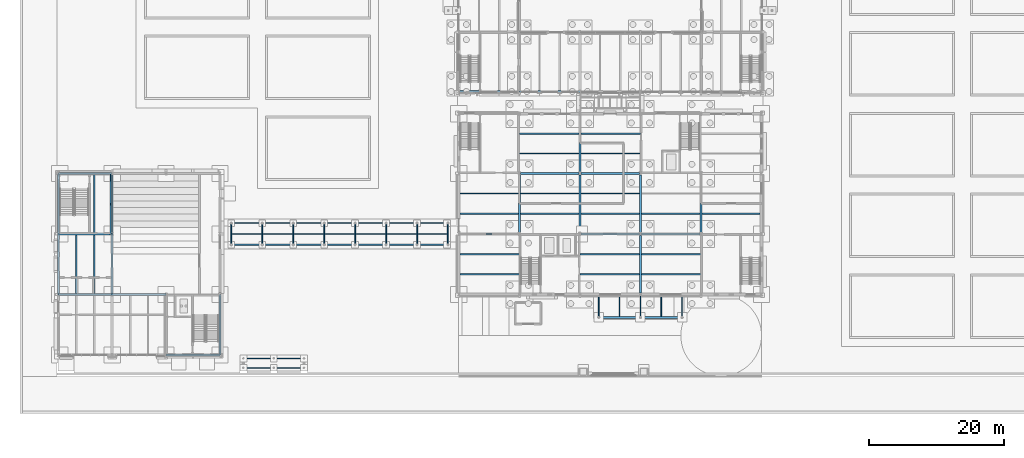
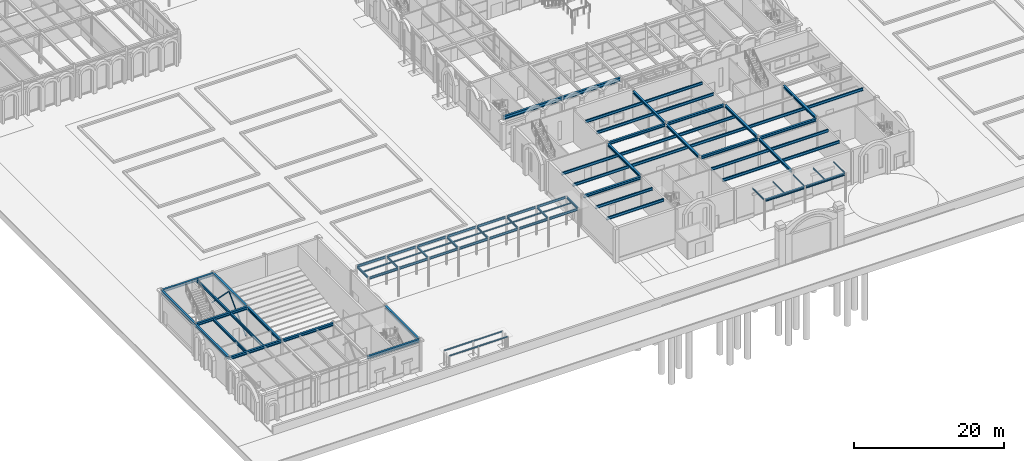
# One storey, part 31 of 126: 82 beams, 2 members.
"""IFC4 building model written with IfcOpenShell, lengths in metres."""

from ifc_helpers import new_model, si_unit, direction, frame, origin, origin_2d, place, context, subcontext, project, spatial, hollow_rectangle, i_section, extrude, material, material_profile, profile_set, type_object, element, save


model = new_model("IFC4")

# Units and contexts
model_context = context("Model", 3, precision=1e-05, world=origin(), true_north=direction((0.0, 1.0)))
body_context = subcontext(model_context, "Body", "Model", "MODEL_VIEW")
ifc_project = project(units=[si_unit("LENGTHUNIT", "METRE"), si_unit("AREAUNIT", "SQUARE_METRE"), si_unit("VOLUMEUNIT", "CUBIC_METRE"), si_unit("PLANEANGLEUNIT", "RADIAN"), si_unit("MASSUNIT", "GRAM", prefix="KILO")], contexts=[model_context])

# Site, building, storey
site_placement = place(None, origin())
site = spatial("IfcSite", under=ifc_project, at=site_placement, CompositionType="ELEMENT")
building_placement = place(site_placement, origin())
building = spatial("IfcBuilding", under=site, at=building_placement, Name="Kallimachos Central Library", CompositionType="ELEMENT")
storey_placement = place(building_placement, origin())
storey = spatial("IfcBuildingStorey", under=building, at=storey_placement, Name="L00", CompositionType="ELEMENT", Elevation=0.0)

# Beams
ifc_material_1 = material(Name="Steel S355J2", Category="steel")
ifc_material_profile_1 = material_profile(ifc_material_1, i_section(OverallWidth=0.300048828125, OverallDepth=0.31005859375, WebThickness=0.009033203125, FlangeThickness=0.015380859375, FilletRadius=0.027099609375, at=origin_2d()), Name="HEA 320")
ifc_profile_set_1 = profile_set([ifc_material_profile_1], Name="Steel S355J2")
beam_type_1 = type_object("IfcBeamType", Name="HEA 320 beam", PredefinedType="BEAM", material=ifc_profile_set_1)
for number, where, z_axis, x_axis, name in (
    (1, (86.4365234375, 14.60009765625, 4.544921875), (1.0, 0.0, 0.0), (0.0, 1.0, 0.0), "V5-BEM-L00-035"),
    (2, (92.636474609375, 14.60009765625, 4.544921875), (1.0, 0.0, 0.0), (0.0, 1.0, 0.0), "V5-BEM-L00-036"),
):
    element("IfcBeam", number, at=place(storey_placement, frame(where, z_axis=z_axis, x_axis=x_axis)), inside=storey, type_object=beam_type_1, Name=name, PredefinedType="BEAM", context=body_context, shape_type="SweptSolid", body=[
        extrude(i_section(OverallWidth=0.300048828125, OverallDepth=0.31005859375, WebThickness=0.009033203125, FlangeThickness=0.015380859375, FilletRadius=0.027099609375, at=origin_2d()), origin(), (0.0, 0.0, 1.0), 5.927001953125),
    ])
ifc_material_2 = material(Name="Steel S355J2", Category="steel")
ifc_material_profile_2 = material_profile(ifc_material_2, i_section(OverallWidth=0.300048828125, OverallDepth=0.43994140625, WebThickness=0.011474609375, FlangeThickness=0.02099609375, FilletRadius=0.027099609375, at=origin_2d()), Name="HEA 450")
ifc_profile_set_2 = profile_set([ifc_material_profile_2], Name="Steel S355J2")
beam_type_2 = type_object("IfcBeamType", Name="HEA 450 beam", PredefinedType="BEAM", material=ifc_profile_set_2)
beam_1_placement = place(storey_placement, frame((65.64990234375, 27.0, 4.929931640625), z_axis=(1.0, 0.0, 0.0), x_axis=(0.0, 1.0, 0.0)))
element("IfcBeam", 3, at=beam_1_placement, inside=storey, type_object=beam_type_2, Name="V5-BEM-L00-001", PredefinedType="BEAM", context=body_context, shape_type="SweptSolid", body=[
    extrude(i_section(OverallWidth=0.300048828125, OverallDepth=0.43994140625, WebThickness=0.011474609375, FlangeThickness=0.02099609375, FilletRadius=0.027099609375, at=origin_2d()), origin(), (0.0, 0.0, 1.0), 8.696533203125),
])
for number, where, z_axis, x_axis, name in (
    (4, (83.653564453125, 27.0, 4.929931640625), (1.0, 0.0, 0.0), (0.0, 1.0, 0.0), "V5-BEM-L00-002"),
    (5, (92.653564453125, 27.0, 4.929931640625), (1.0, 0.0, 0.0), (0.0, 1.0, 0.0), "V5-BEM-L00-003"),
    (6, (74.653564453125, 36.0, 4.929931640625), (1.0, 0.0, 0.0), (0.0, 1.0, 0.0), "V5-BEM-L00-004"),
    (7, (83.653564453125, 36.0, 4.929931640625), (1.0, 0.0, 0.0), (0.0, 1.0, 0.0), "V5-BEM-L00-005"),
):
    element("IfcBeam", number, at=place(storey_placement, frame(where, z_axis=z_axis, x_axis=x_axis)), inside=storey, type_object=beam_type_2, Name=name, PredefinedType="BEAM", context=body_context, shape_type="SweptSolid", body=[
        extrude(i_section(OverallWidth=0.300048828125, OverallDepth=0.43994140625, WebThickness=0.011474609375, FlangeThickness=0.02099609375, FilletRadius=0.027099609375, at=origin_2d()), origin(), (0.0, 0.0, 1.0), 8.69287109375),
    ])
ifc_material_3 = material(Name="Steel S355J2", Category="steel")
ifc_material_profile_3 = material_profile(ifc_material_3, i_section(OverallWidth=0.300048828125, OverallDepth=0.39990234375, WebThickness=0.013427734375, FlangeThickness=0.02392578125, FilletRadius=0.027099609375, at=origin_2d()), Name="HEB 400")
ifc_profile_set_3 = profile_set([ifc_material_profile_3], Name="Steel S355J2")
beam_type_3 = type_object("IfcBeamType", Name="HEB 400 beam", PredefinedType="BEAM", material=ifc_profile_set_3)
for number, where, z_axis, x_axis, name in (
    (8, (74.5, 27.216064453125, 4.949951171875), (0.0, 1.0, 0.0), (-1.0, 0.0, 0.0), "V5-BEM-L00-007"),
    (9, (83.5, 27.216064453125, 4.949951171875), (0.0, 1.0, 0.0), (-1.0, 0.0, 0.0), "V5-BEM-L00-008"),
):
    element("IfcBeam", number, at=place(storey_placement, frame(where, z_axis=z_axis, x_axis=x_axis)), inside=storey, type_object=beam_type_3, Name=name, PredefinedType="BEAM", context=body_context, shape_type="SweptSolid", body=[
        extrude(i_section(OverallWidth=0.300048828125, OverallDepth=0.39990234375, WebThickness=0.013427734375, FlangeThickness=0.02392578125, FilletRadius=0.027099609375, at=origin_2d()), origin(), (0.0, 0.0, 1.0), 8.56787109375),
    ])
beam_2_placement = place(storey_placement, frame((83.5, 36.216064453125, 4.949951171875), z_axis=(0.0, 1.0, 0.0), x_axis=(-1.0, 0.0, 0.0)))
element("IfcBeam", 10, at=beam_2_placement, inside=storey, type_object=beam_type_3, Name="V5-BEM-L00-009", PredefinedType="BEAM", context=body_context, shape_type="SweptSolid", body=[
    extrude(i_section(OverallWidth=0.300048828125, OverallDepth=0.39990234375, WebThickness=0.013427734375, FlangeThickness=0.02392578125, FilletRadius=0.027099609375, at=origin_2d()), origin(), (0.0, 0.0, 1.0), 8.433837890625),
])
beam_3_placement = place(storey_placement, frame((92.5, 18.199951171875, 4.949951171875), z_axis=(0.0, 1.0, 0.0), x_axis=(-1.0, 0.0, 0.0)))
element("IfcBeam", 11, at=beam_3_placement, inside=storey, type_object=beam_type_3, Name="V5-BEM-L00-010", PredefinedType="BEAM", context=body_context, shape_type="SweptSolid", body=[
    extrude(i_section(OverallWidth=0.300048828125, OverallDepth=0.39990234375, WebThickness=0.013427734375, FlangeThickness=0.02392578125, FilletRadius=0.027099609375, at=origin_2d()), origin(), (0.0, 0.0, 1.0), 8.583984375),
])
for number, where, z_axis, x_axis, name in (
    (12, (92.5, 27.216064453125, 4.949951171875), (0.0, 1.0, 0.0), (-1.0, 0.0, 0.0), "V5-BEM-L00-011"),
    (13, (101.5, 27.216064453125, 4.949951171875), (0.0, 1.0, 0.0), (-1.0, 0.0, 0.0), "V5-BEM-L00-012"),
):
    element("IfcBeam", number, at=place(storey_placement, frame(where, z_axis=z_axis, x_axis=x_axis)), inside=storey, type_object=beam_type_3, Name=name, PredefinedType="BEAM", context=body_context, shape_type="SweptSolid", body=[
        extrude(i_section(OverallWidth=0.300048828125, OverallDepth=0.39990234375, WebThickness=0.013427734375, FlangeThickness=0.02392578125, FilletRadius=0.027099609375, at=origin_2d()), origin(), (0.0, 0.0, 1.0), 8.56787109375),
    ])
ifc_material_4 = material(Name="Steel S355J2", Category="steel")
ifc_material_profile_4 = material_profile(ifc_material_4, i_section(OverallWidth=0.300048828125, OverallDepth=0.449951171875, WebThickness=0.013916015625, FlangeThickness=0.02587890625, FilletRadius=0.027099609375, at=origin_2d()), Name="HEB 450")
ifc_profile_set_4 = profile_set([ifc_material_profile_4], Name="Steel S355J2")
beam_type_4 = type_object("IfcBeamType", Name="HEB 450 beam", PredefinedType="BEAM", material=ifc_profile_set_4)
beam_4_placement = place(storey_placement, frame((6.0, 18.0, 4.97509765625), z_axis=(0.0, 1.0, 0.0), x_axis=(-1.0, 0.0, 0.0)))
element("IfcBeam", 14, at=beam_4_placement, inside=storey, type_object=beam_type_4, Name="V6-BEM-L00-003", PredefinedType="BEAM", context=body_context, shape_type="SweptSolid", body=[
    extrude(i_section(OverallWidth=0.300048828125, OverallDepth=0.449951171875, WebThickness=0.013916015625, FlangeThickness=0.02587890625, FilletRadius=0.027099609375, at=origin_2d()), origin(), (0.0, 0.0, 1.0), 9.0),
])
beam_5_placement = place(storey_placement, frame((6.0, 18.0, 4.97509765625), z_axis=(1.0, 0.0, 0.0), x_axis=(0.0, 1.0, 0.0)))
element("IfcBeam", 15, at=beam_5_placement, inside=storey, type_object=beam_type_4, Name="V6-BEM-L00-004", PredefinedType="BEAM", context=body_context, shape_type="SweptSolid", body=[
    extrude(i_section(OverallWidth=0.300048828125, OverallDepth=0.449951171875, WebThickness=0.013916015625, FlangeThickness=0.02587890625, FilletRadius=0.027099609375, at=origin_2d()), origin(), (0.0, 0.0, 1.0), 8.0),
])
beam_6_placement = place(storey_placement, frame((6.0, 27.0, 4.97509765625), z_axis=(0.0, 1.0, 0.0), x_axis=(-1.0, 0.0, 0.0)))
element("IfcBeam", 16, at=beam_6_placement, inside=storey, type_object=beam_type_4, Name="V6-BEM-L00-005", PredefinedType="BEAM", context=body_context, shape_type="SweptSolid", body=[
    extrude(i_section(OverallWidth=0.300048828125, OverallDepth=0.449951171875, WebThickness=0.013916015625, FlangeThickness=0.02587890625, FilletRadius=0.027099609375, at=origin_2d()), origin(), (0.0, 0.0, 1.0), 9.0),
])
for number, where, z_axis, x_axis, name in (
    (17, (6.0, 27.0, 4.97509765625), (1.0, 0.0, 0.0), (0.0, 1.0, 0.0), "V6-BEM-L00-006"),
    (18, (6.0, 36.0, 4.97509765625), (1.0, 0.0, 0.0), (0.0, 1.0, 0.0), "V6-BEM-L00-007"),
):
    element("IfcBeam", number, at=place(storey_placement, frame(where, z_axis=z_axis, x_axis=x_axis)), inside=storey, type_object=beam_type_4, Name=name, PredefinedType="BEAM", context=body_context, shape_type="SweptSolid", body=[
        extrude(i_section(OverallWidth=0.300048828125, OverallDepth=0.449951171875, WebThickness=0.013916015625, FlangeThickness=0.02587890625, FilletRadius=0.027099609375, at=origin_2d()), origin(), (0.0, 0.0, 1.0), 8.0),
    ])
beam_7_placement = place(storey_placement, frame((14.0, 18.0, 4.97509765625), z_axis=(0.0, 1.0, 0.0), x_axis=(-1.0, 0.0, 0.0)))
element("IfcBeam", 19, at=beam_7_placement, inside=storey, type_object=beam_type_4, Name="V6-BEM-L00-010", PredefinedType="BEAM", context=body_context, shape_type="SweptSolid", body=[
    extrude(i_section(OverallWidth=0.300048828125, OverallDepth=0.449951171875, WebThickness=0.013916015625, FlangeThickness=0.02587890625, FilletRadius=0.027099609375, at=origin_2d()), origin(), (0.0, 0.0, 1.0), 9.0),
])
beam_8_placement = place(storey_placement, frame((14.0, 18.0, 4.97509765625), z_axis=(1.0, 0.0, 0.0), x_axis=(0.0, 1.0, 0.0)))
element("IfcBeam", 20, at=beam_8_placement, inside=storey, type_object=beam_type_4, Name="V6-BEM-L00-011", PredefinedType="BEAM", context=body_context, shape_type="SweptSolid", body=[
    extrude(i_section(OverallWidth=0.300048828125, OverallDepth=0.449951171875, WebThickness=0.013916015625, FlangeThickness=0.02587890625, FilletRadius=0.027099609375, at=origin_2d()), origin(), (0.0, 0.0, 1.0), 8.0),
])
beam_9_placement = place(storey_placement, frame((14.0, 27.0, 4.97509765625), z_axis=(0.0, 1.0, 0.0), x_axis=(-1.0, 0.0, 0.0)))
element("IfcBeam", 21, at=beam_9_placement, inside=storey, type_object=beam_type_4, Name="V6-BEM-L00-012", PredefinedType="BEAM", context=body_context, shape_type="SweptSolid", body=[
    extrude(i_section(OverallWidth=0.300048828125, OverallDepth=0.449951171875, WebThickness=0.013916015625, FlangeThickness=0.02587890625, FilletRadius=0.027099609375, at=origin_2d()), origin(), (0.0, 0.0, 1.0), 9.0),
])
beam_10_placement = place(storey_placement, frame((22.0, 9.0, 4.97509765625), z_axis=(1.0, 0.0, 0.0), x_axis=(0.0, 1.0, 0.0)))
element("IfcBeam", 22, at=beam_10_placement, inside=storey, type_object=beam_type_4, Name="V6-BEM-L00-014", PredefinedType="BEAM", context=body_context, shape_type="SweptSolid", body=[
    extrude(i_section(OverallWidth=0.300048828125, OverallDepth=0.449951171875, WebThickness=0.013916015625, FlangeThickness=0.02587890625, FilletRadius=0.027099609375, at=origin_2d()), origin(), (0.0, 0.0, 1.0), 8.0),
])
beam_11_placement = place(storey_placement, frame((30.0, 9.0, 4.97509765625), z_axis=(0.0, 1.0, 0.0), x_axis=(-1.0, 0.0, 0.0)))
element("IfcBeam", 23, at=beam_11_placement, inside=storey, type_object=beam_type_4, Name="V6-BEM-L00-015", PredefinedType="BEAM", context=body_context, shape_type="SweptSolid", body=[
    extrude(i_section(OverallWidth=0.300048828125, OverallDepth=0.449951171875, WebThickness=0.013916015625, FlangeThickness=0.02587890625, FilletRadius=0.027099609375, at=origin_2d()), origin(), (0.0, 0.0, 1.0), 9.0),
])
ifc_material_5 = material(Name="Steel S355J2", Category="steel")
ifc_material_profile_5 = material_profile(ifc_material_5, i_section(OverallWidth=0.300048828125, OverallDepth=0.550048828125, WebThickness=0.014892578125, FlangeThickness=0.029052734375, FilletRadius=0.027099609375, at=origin_2d()), Name="HEB 550")
ifc_profile_set_5 = profile_set([ifc_material_profile_5], Name="Steel S355J2")
beam_type_5 = type_object("IfcBeamType", Name="HEB 550 beam", PredefinedType="BEAM", material=ifc_profile_set_5)
for number, where, z_axis, x_axis, name in (
    (24, (65.5, 48.14990234375, 4.925048828125), (1.0, 0.0, 0.0), (0.0, 1.0, 0.0), "V4-BEM-L00-041"),
    (25, (74.5, 48.14990234375, 4.925048828125), (1.0, 0.0, 0.0), (0.0, 1.0, 0.0), "V4-BEM-L00-042"),
):
    element("IfcBeam", number, at=place(storey_placement, frame(where, z_axis=z_axis, x_axis=x_axis)), inside=storey, type_object=beam_type_5, Name=name, PredefinedType="BEAM", context=body_context, shape_type="SweptSolid", body=[
        extrude(i_section(OverallWidth=0.300048828125, OverallDepth=0.550048828125, WebThickness=0.014892578125, FlangeThickness=0.029052734375, FilletRadius=0.027099609375, at=origin_2d()), origin(), (0.0, 0.0, 1.0), 9.0),
    ])
ifc_material_6 = material(Name="Steel S355J2", Category="steel")
ifc_material_profile_6 = material_profile(ifc_material_6, i_section(OverallWidth=0.10009765625, OverallDepth=0.199951171875, WebThickness=0.005615234375, FlangeThickness=0.008544921875, FilletRadius=0.011962890625, at=origin_2d()), Name="IPE 200")
ifc_profile_set_6 = profile_set([ifc_material_profile_6], Name="Steel S355J2")
beam_type_6 = type_object("IfcBeamType", Name="IPE 200 beam", PredefinedType="BEAM", material=ifc_profile_set_6)
beam_12_placement = place(storey_placement, frame((31.77490234375, 27.0, 4.550048828125), z_axis=(1.0, 0.0, 0.0), x_axis=(0.0, 1.0, 0.0)))
element("IfcBeam", 26, at=beam_12_placement, inside=storey, type_object=beam_type_6, Name="links-BEM-L00-082", PredefinedType="BEAM", context=body_context, shape_type="SweptSolid", body=[
    extrude(i_section(OverallWidth=0.10009765625, OverallDepth=0.199951171875, WebThickness=0.005615234375, FlangeThickness=0.008544921875, FilletRadius=0.011962890625, at=origin_2d()), origin(), (0.0, 0.0, 1.0), 4.4501953125),
])
for number, where, z_axis, x_axis, name in (
    (27, (36.375, 27.0, 4.550048828125), (1.0, 0.0, 0.0), (0.0, 1.0, 0.0), "links-BEM-L00-083"),
    (28, (40.97509765625, 27.0, 4.550048828125), (1.0, 0.0, 0.0), (0.0, 1.0, 0.0), "links-BEM-L00-084"),
    (29, (45.574951171875, 27.0, 4.550048828125), (1.0, 0.0, 0.0), (0.0, 1.0, 0.0), "links-BEM-L00-085"),
    (30, (50.175048828125, 27.0, 4.550048828125), (1.0, 0.0, 0.0), (0.0, 1.0, 0.0), "links-BEM-L00-086"),
):
    element("IfcBeam", number, at=place(storey_placement, frame(where, z_axis=z_axis, x_axis=x_axis)), inside=storey, type_object=beam_type_6, Name=name, PredefinedType="BEAM", context=body_context, shape_type="SweptSolid", body=[
        extrude(i_section(OverallWidth=0.10009765625, OverallDepth=0.199951171875, WebThickness=0.005615234375, FlangeThickness=0.008544921875, FilletRadius=0.011962890625, at=origin_2d()), origin(), (0.0, 0.0, 1.0), 4.449951171875),
    ])
beam_13_placement = place(storey_placement, frame((54.77490234375, 27.0, 4.550048828125), z_axis=(1.0, 0.0, 0.0), x_axis=(0.0, 1.0, 0.0)))
element("IfcBeam", 31, at=beam_13_placement, inside=storey, type_object=beam_type_6, Name="links-BEM-L00-087", PredefinedType="BEAM", context=body_context, shape_type="SweptSolid", body=[
    extrude(i_section(OverallWidth=0.10009765625, OverallDepth=0.199951171875, WebThickness=0.005615234375, FlangeThickness=0.008544921875, FilletRadius=0.011962890625, at=origin_2d()), origin(), (0.0, 0.0, 1.0), 4.4501953125),
])
beam_14_placement = place(storey_placement, frame((59.375, 27.0, 4.550048828125), z_axis=(1.0, 0.0, 0.0), x_axis=(0.0, 1.0, 0.0)))
element("IfcBeam", 32, at=beam_14_placement, inside=storey, type_object=beam_type_6, Name="links-BEM-L00-088", PredefinedType="BEAM", context=body_context, shape_type="SweptSolid", body=[
    extrude(i_section(OverallWidth=0.10009765625, OverallDepth=0.199951171875, WebThickness=0.005615234375, FlangeThickness=0.008544921875, FilletRadius=0.011962890625, at=origin_2d()), origin(), (0.0, 0.0, 1.0), 4.449951171875),
])
for number, where, z_axis, x_axis, name in (
    (33, (33.5, 7.10009765625, 2.35009765625), (1.0, 0.0, 0.0), (0.0, 1.0, 0.0), "Cycle shelter beam"),
    (34, (33.5, 8.5, 2.35009765625), (1.0, 0.0, 0.0), (0.0, 1.0, 0.0), "Cycle shelter beam"),
):
    element("IfcBeam", number, at=place(storey_placement, frame(where, z_axis=z_axis, x_axis=x_axis)), inside=storey, type_object=beam_type_6, Name=name, PredefinedType="BEAM", context=body_context, shape_type="SweptSolid", body=[
        extrude(i_section(OverallWidth=0.10009765625, OverallDepth=0.199951171875, WebThickness=0.005615234375, FlangeThickness=0.008544921875, FilletRadius=0.011962890625, at=origin_2d()), origin(), (0.0, 0.0, 1.0), 9.0),
    ])
for number, where, z_axis, x_axis, name in (
    (35, (86.300048828125, 14.75, 4.60009765625), (0.0, 1.0, 0.0), (-1.0, 0.0, 0.0), "V5-BEM-L00-037"),
    (36, (89.39990234375, 14.75, 4.60009765625), (0.0, 1.0, 0.0), (-1.0, 0.0, 0.0), "V5-BEM-L00-038"),
    (37, (92.5, 14.75, 4.60009765625), (0.0, 1.0, 0.0), (-1.0, 0.0, 0.0), "V5-BEM-L00-039"),
    (38, (95.60009765625, 14.75, 4.60009765625), (0.0, 1.0, 0.0), (-1.0, 0.0, 0.0), "V5-BEM-L00-040"),
    (39, (98.699951171875, 14.75, 4.60009765625), (0.0, 1.0, 0.0), (-1.0, 0.0, 0.0), "V5-BEM-L00-041"),
):
    element("IfcBeam", number, at=place(storey_placement, frame(where, z_axis=z_axis, x_axis=x_axis)), inside=storey, type_object=beam_type_6, Name=name, PredefinedType="BEAM", context=body_context, shape_type="SweptSolid", body=[
        extrude(i_section(OverallWidth=0.10009765625, OverallDepth=0.199951171875, WebThickness=0.005615234375, FlangeThickness=0.008544921875, FilletRadius=0.011962890625, at=origin_2d()), origin(), (0.0, 0.0, 1.0), 3.050048828125),
    ])
ifc_material_7 = material(Name="Steel S355J2", Category="steel")
ifc_material_profile_7 = material_profile(ifc_material_7, i_section(OverallWidth=0.14990234375, OverallDepth=0.300048828125, WebThickness=0.007080078125, FlangeThickness=0.0107421875, FilletRadius=0.014892578125, at=origin_2d()), Name="IPE 300")
ifc_profile_set_7 = profile_set([ifc_material_profile_7], Name="Steel S355J2")
beam_type_7 = type_object("IfcBeamType", Name="IPE 300 beam", PredefinedType="BEAM", material=ifc_profile_set_7)
for number, where, z_axis, x_axis, name in (
    (40, (31.699951171875, 25.53662109375, 4.5), (0.0, 1.0, 0.0), (-1.0, 0.0, 0.0), "links-BEM-L00-074"),
    (41, (36.300048828125, 25.53662109375, 4.5), (0.0, 1.0, 0.0), (-1.0, 0.0, 0.0), "links-BEM-L00-075"),
    (42, (40.89990234375, 25.53662109375, 4.5), (0.0, 1.0, 0.0), (-1.0, 0.0, 0.0), "links-BEM-L00-076"),
    (43, (45.5, 25.53662109375, 4.5), (0.0, 1.0, 0.0), (-1.0, 0.0, 0.0), "links-BEM-L00-077"),
    (44, (50.10009765625, 25.53662109375, 4.5), (0.0, 1.0, 0.0), (-1.0, 0.0, 0.0), "links-BEM-L00-078"),
    (45, (54.699951171875, 25.53662109375, 4.5), (0.0, 1.0, 0.0), (-1.0, 0.0, 0.0), "links-BEM-L00-079"),
    (46, (59.300048828125, 25.53662109375, 4.5), (0.0, 1.0, 0.0), (-1.0, 0.0, 0.0), "links-BEM-L00-080"),
    (47, (63.89990234375, 25.53662109375, 4.5), (0.0, 1.0, 0.0), (-1.0, 0.0, 0.0), "links-BEM-L00-081"),
):
    element("IfcBeam", number, at=place(storey_placement, frame(where, z_axis=z_axis, x_axis=x_axis)), inside=storey, type_object=beam_type_7, Name=name, PredefinedType="BEAM", context=body_context, shape_type="SweptSolid", body=[
        extrude(i_section(OverallWidth=0.14990234375, OverallDepth=0.300048828125, WebThickness=0.007080078125, FlangeThickness=0.0107421875, FilletRadius=0.014892578125, at=origin_2d()), origin(), (0.0, 0.0, 1.0), 2.9267578125),
    ])
ifc_material_8 = material(Name="Steel S355J2", Category="steel")
ifc_material_profile_8 = material_profile(ifc_material_8, i_section(OverallWidth=0.169921875, OverallDepth=0.360107421875, WebThickness=0.008056640625, FlangeThickness=0.0126953125, FilletRadius=0.01806640625, at=origin_2d()), Name="IPE 360")
ifc_profile_set_8 = profile_set([ifc_material_profile_8], Name="Steel S355J2")
beam_type_8 = type_object("IfcBeamType", Name="IPE 360 beam", PredefinedType="BEAM", material=ifc_profile_set_8)
beam_15_placement = place(storey_placement, frame((31.83642578125, 25.39990234375, 4.469970703125), z_axis=(1.0, 0.0, 0.0), x_axis=(0.0, 1.0, 0.0)))
element("IfcBeam", 48, at=beam_15_placement, inside=storey, type_object=beam_type_8, Name="links-BEM-L00-060", PredefinedType="BEAM", context=body_context, shape_type="SweptSolid", body=[
    extrude(i_section(OverallWidth=0.169921875, OverallDepth=0.360107421875, WebThickness=0.008056640625, FlangeThickness=0.0126953125, FilletRadius=0.01806640625, at=origin_2d()), origin(), (0.0, 0.0, 1.0), 4.3271484375),
])
for number, where, z_axis, x_axis, name in (
    (49, (36.4365234375, 25.39990234375, 4.469970703125), (1.0, 0.0, 0.0), (0.0, 1.0, 0.0), "links-BEM-L00-061"),
    (50, (41.03662109375, 25.39990234375, 4.469970703125), (1.0, 0.0, 0.0), (0.0, 1.0, 0.0), "links-BEM-L00-062"),
    (51, (45.636474609375, 25.39990234375, 4.469970703125), (1.0, 0.0, 0.0), (0.0, 1.0, 0.0), "links-BEM-L00-063"),
    (52, (50.236572265625, 25.39990234375, 4.469970703125), (1.0, 0.0, 0.0), (0.0, 1.0, 0.0), "links-BEM-L00-064"),
):
    element("IfcBeam", number, at=place(storey_placement, frame(where, z_axis=z_axis, x_axis=x_axis)), inside=storey, type_object=beam_type_8, Name=name, PredefinedType="BEAM", context=body_context, shape_type="SweptSolid", body=[
        extrude(i_section(OverallWidth=0.169921875, OverallDepth=0.360107421875, WebThickness=0.008056640625, FlangeThickness=0.0126953125, FilletRadius=0.01806640625, at=origin_2d()), origin(), (0.0, 0.0, 1.0), 4.326904296875),
    ])
beam_16_placement = place(storey_placement, frame((54.83642578125, 25.39990234375, 4.469970703125), z_axis=(1.0, 0.0, 0.0), x_axis=(0.0, 1.0, 0.0)))
element("IfcBeam", 53, at=beam_16_placement, inside=storey, type_object=beam_type_8, Name="links-BEM-L00-065", PredefinedType="BEAM", context=body_context, shape_type="SweptSolid", body=[
    extrude(i_section(OverallWidth=0.169921875, OverallDepth=0.360107421875, WebThickness=0.008056640625, FlangeThickness=0.0126953125, FilletRadius=0.01806640625, at=origin_2d()), origin(), (0.0, 0.0, 1.0), 4.3271484375),
])
beam_17_placement = place(storey_placement, frame((59.4365234375, 25.39990234375, 4.469970703125), z_axis=(1.0, 0.0, 0.0), x_axis=(0.0, 1.0, 0.0)))
element("IfcBeam", 54, at=beam_17_placement, inside=storey, type_object=beam_type_8, Name="links-BEM-L00-066", PredefinedType="BEAM", context=body_context, shape_type="SweptSolid", body=[
    extrude(i_section(OverallWidth=0.169921875, OverallDepth=0.360107421875, WebThickness=0.008056640625, FlangeThickness=0.0126953125, FilletRadius=0.01806640625, at=origin_2d()), origin(), (0.0, 0.0, 1.0), 4.326904296875),
])
beam_18_placement = place(storey_placement, frame((31.83642578125, 28.60009765625, 4.469970703125), z_axis=(1.0, 0.0, 0.0), x_axis=(0.0, 1.0, 0.0)))
element("IfcBeam", 55, at=beam_18_placement, inside=storey, type_object=beam_type_8, Name="links-BEM-L00-067", PredefinedType="BEAM", context=body_context, shape_type="SweptSolid", body=[
    extrude(i_section(OverallWidth=0.169921875, OverallDepth=0.360107421875, WebThickness=0.008056640625, FlangeThickness=0.0126953125, FilletRadius=0.01806640625, at=origin_2d()), origin(), (0.0, 0.0, 1.0), 4.3271484375),
])
for number, where, z_axis, x_axis, name in (
    (56, (36.4365234375, 28.60009765625, 4.469970703125), (1.0, 0.0, 0.0), (0.0, 1.0, 0.0), "links-BEM-L00-068"),
    (57, (41.03662109375, 28.60009765625, 4.469970703125), (1.0, 0.0, 0.0), (0.0, 1.0, 0.0), "links-BEM-L00-069"),
    (58, (45.636474609375, 28.60009765625, 4.469970703125), (1.0, 0.0, 0.0), (0.0, 1.0, 0.0), "links-BEM-L00-070"),
    (59, (50.236572265625, 28.60009765625, 4.469970703125), (1.0, 0.0, 0.0), (0.0, 1.0, 0.0), "links-BEM-L00-071"),
):
    element("IfcBeam", number, at=place(storey_placement, frame(where, z_axis=z_axis, x_axis=x_axis)), inside=storey, type_object=beam_type_8, Name=name, PredefinedType="BEAM", context=body_context, shape_type="SweptSolid", body=[
        extrude(i_section(OverallWidth=0.169921875, OverallDepth=0.360107421875, WebThickness=0.008056640625, FlangeThickness=0.0126953125, FilletRadius=0.01806640625, at=origin_2d()), origin(), (0.0, 0.0, 1.0), 4.326904296875),
    ])
beam_19_placement = place(storey_placement, frame((54.83642578125, 28.60009765625, 4.469970703125), z_axis=(1.0, 0.0, 0.0), x_axis=(0.0, 1.0, 0.0)))
element("IfcBeam", 60, at=beam_19_placement, inside=storey, type_object=beam_type_8, Name="links-BEM-L00-072", PredefinedType="BEAM", context=body_context, shape_type="SweptSolid", body=[
    extrude(i_section(OverallWidth=0.169921875, OverallDepth=0.360107421875, WebThickness=0.008056640625, FlangeThickness=0.0126953125, FilletRadius=0.01806640625, at=origin_2d()), origin(), (0.0, 0.0, 1.0), 4.3271484375),
])
beam_20_placement = place(storey_placement, frame((59.4365234375, 28.60009765625, 4.469970703125), z_axis=(1.0, 0.0, 0.0), x_axis=(0.0, 1.0, 0.0)))
element("IfcBeam", 61, at=beam_20_placement, inside=storey, type_object=beam_type_8, Name="links-BEM-L00-073", PredefinedType="BEAM", context=body_context, shape_type="SweptSolid", body=[
    extrude(i_section(OverallWidth=0.169921875, OverallDepth=0.360107421875, WebThickness=0.008056640625, FlangeThickness=0.0126953125, FilletRadius=0.01806640625, at=origin_2d()), origin(), (0.0, 0.0, 1.0), 4.326904296875),
])
ifc_material_9 = material(Name="Steel S355J2", Category="steel")
ifc_material_profile_9 = material_profile(ifc_material_9, i_section(OverallWidth=0.18994140625, OverallDepth=0.449951171875, WebThickness=0.009521484375, FlangeThickness=0.0146484375, FilletRadius=0.02099609375, at=origin_2d()), Name="IPE 450")
ifc_profile_set_9 = profile_set([ifc_material_profile_9], Name="Steel S355J2")
beam_type_9 = type_object("IfcBeamType", Name="IPE 450 beam", PredefinedType="BEAM", material=ifc_profile_set_9)
for number, where, z_axis, x_axis, name in (
    (62, (65.699951171875, 21.0, 4.925048828125), (1.0, 0.0, 0.0), (0.0, 1.0, 0.0), "V5-BEM-L00-013"),
    (63, (65.699951171875, 24.0, 4.925048828125), (1.0, 0.0, 0.0), (0.0, 1.0, 0.0), "V5-BEM-L00-014"),
):
    element("IfcBeam", number, at=place(storey_placement, frame(where, z_axis=z_axis, x_axis=x_axis)), inside=storey, type_object=beam_type_9, Name=name, PredefinedType="BEAM", context=body_context, shape_type="SweptSolid", body=[
        extrude(i_section(OverallWidth=0.18994140625, OverallDepth=0.449951171875, WebThickness=0.009521484375, FlangeThickness=0.0146484375, FilletRadius=0.02099609375, at=origin_2d()), origin(), (0.0, 0.0, 1.0), 8.800048828125),
    ])
for number, where, z_axis, x_axis, name in (
    (64, (65.699951171875, 30.0, 4.925048828125), (1.0, 0.0, 0.0), (0.0, 1.0, 0.0), "V5-BEM-L00-015"),
    (65, (65.699951171875, 33.0, 4.925048828125), (1.0, 0.0, 0.0), (0.0, 1.0, 0.0), "V5-BEM-L00-016"),
):
    element("IfcBeam", number, at=place(storey_placement, frame(where, z_axis=z_axis, x_axis=x_axis)), inside=storey, type_object=beam_type_9, Name=name, PredefinedType="BEAM", context=body_context, shape_type="SweptSolid", body=[
        extrude(i_section(OverallWidth=0.18994140625, OverallDepth=0.449951171875, WebThickness=0.009521484375, FlangeThickness=0.0146484375, FilletRadius=0.02099609375, at=origin_2d()), origin(), (0.0, 0.0, 1.0), 8.650146484375),
    ])
for number, where, z_axis, x_axis, name in (
    (66, (74.64990234375, 30.0, 4.925048828125), (1.0, 0.0, 0.0), (0.0, 1.0, 0.0), "V5-BEM-L00-017"),
    (67, (74.64990234375, 33.0, 4.925048828125), (1.0, 0.0, 0.0), (0.0, 1.0, 0.0), "V5-BEM-L00-018"),
):
    element("IfcBeam", number, at=place(storey_placement, frame(where, z_axis=z_axis, x_axis=x_axis)), inside=storey, type_object=beam_type_9, Name=name, PredefinedType="BEAM", context=body_context, shape_type="SweptSolid", body=[
        extrude(i_section(OverallWidth=0.18994140625, OverallDepth=0.449951171875, WebThickness=0.009521484375, FlangeThickness=0.0146484375, FilletRadius=0.02099609375, at=origin_2d()), origin(), (0.0, 0.0, 1.0), 8.7001953125),
    ])
for number, where, z_axis, x_axis, name in (
    (68, (74.5, 38.949951171875, 4.925048828125), (1.0, 0.0, 0.0), (0.0, 1.0, 0.0), "V5-BEM-L00-019"),
    (69, (74.5, 41.89990234375, 4.925048828125), (1.0, 0.0, 0.0), (0.0, 1.0, 0.0), "V5-BEM-L00-020"),
    (70, (83.5, 21.0, 4.925048828125), (1.0, 0.0, 0.0), (0.0, 1.0, 0.0), "V5-BEM-L00-021"),
    (71, (83.5, 24.0, 4.925048828125), (1.0, 0.0, 0.0), (0.0, 1.0, 0.0), "V5-BEM-L00-022"),
):
    element("IfcBeam", number, at=place(storey_placement, frame(where, z_axis=z_axis, x_axis=x_axis)), inside=storey, type_object=beam_type_9, Name=name, PredefinedType="BEAM", context=body_context, shape_type="SweptSolid", body=[
        extrude(i_section(OverallWidth=0.18994140625, OverallDepth=0.449951171875, WebThickness=0.009521484375, FlangeThickness=0.0146484375, FilletRadius=0.02099609375, at=origin_2d()), origin(), (0.0, 0.0, 1.0), 8.85009765625),
    ])
for number, where, z_axis, x_axis, name in (
    (72, (83.64990234375, 30.0, 4.925048828125), (1.0, 0.0, 0.0), (0.0, 1.0, 0.0), "V5-BEM-L00-023"),
    (73, (83.64990234375, 33.0, 4.925048828125), (1.0, 0.0, 0.0), (0.0, 1.0, 0.0), "V5-BEM-L00-024"),
):
    element("IfcBeam", number, at=place(storey_placement, frame(where, z_axis=z_axis, x_axis=x_axis)), inside=storey, type_object=beam_type_9, Name=name, PredefinedType="BEAM", context=body_context, shape_type="SweptSolid", body=[
        extrude(i_section(OverallWidth=0.18994140625, OverallDepth=0.449951171875, WebThickness=0.009521484375, FlangeThickness=0.0146484375, FilletRadius=0.02099609375, at=origin_2d()), origin(), (0.0, 0.0, 1.0), 8.7001953125),
    ])
for number, where, z_axis, x_axis, name in (
    (74, (83.64990234375, 38.949951171875, 4.925048828125), (1.0, 0.0, 0.0), (0.0, 1.0, 0.0), "V5-BEM-L00-025"),
    (75, (83.64990234375, 41.89990234375, 4.925048828125), (1.0, 0.0, 0.0), (0.0, 1.0, 0.0), "V5-BEM-L00-026"),
    (76, (92.64990234375, 21.0, 4.925048828125), (1.0, 0.0, 0.0), (0.0, 1.0, 0.0), "V5-BEM-L00-027"),
    (77, (92.64990234375, 24.0, 4.925048828125), (1.0, 0.0, 0.0), (0.0, 1.0, 0.0), "V5-BEM-L00-028"),
):
    element("IfcBeam", number, at=place(storey_placement, frame(where, z_axis=z_axis, x_axis=x_axis)), inside=storey, type_object=beam_type_9, Name=name, PredefinedType="BEAM", context=body_context, shape_type="SweptSolid", body=[
        extrude(i_section(OverallWidth=0.18994140625, OverallDepth=0.449951171875, WebThickness=0.009521484375, FlangeThickness=0.0146484375, FilletRadius=0.02099609375, at=origin_2d()), origin(), (0.0, 0.0, 1.0), 8.85009765625),
    ])
beam_21_placement = place(storey_placement, frame((92.64990234375, 30.0, 4.925048828125), z_axis=(1.0, 0.0, 0.0), x_axis=(0.0, 1.0, 0.0)))
element("IfcBeam", 78, at=beam_21_placement, inside=storey, type_object=beam_type_9, Name="V5-BEM-L00-029", PredefinedType="BEAM", context=body_context, shape_type="SweptSolid", body=[
    extrude(i_section(OverallWidth=0.18994140625, OverallDepth=0.449951171875, WebThickness=0.009521484375, FlangeThickness=0.0146484375, FilletRadius=0.02099609375, at=origin_2d()), origin(), (0.0, 0.0, 1.0), 8.7001953125),
])
beam_22_placement = place(storey_placement, frame((101.64990234375, 30.0, 4.925048828125), z_axis=(1.0, 0.0, 0.0), x_axis=(0.0, 1.0, 0.0)))
element("IfcBeam", 79, at=beam_22_placement, inside=storey, type_object=beam_type_9, Name="V5-BEM-L00-031", PredefinedType="BEAM", context=body_context, shape_type="SweptSolid", body=[
    extrude(i_section(OverallWidth=0.18994140625, OverallDepth=0.449951171875, WebThickness=0.009521484375, FlangeThickness=0.0146484375, FilletRadius=0.02099609375, at=origin_2d()), origin(), (0.0, 0.0, 1.0), 8.650146484375),
])
for number, where, z_axis, x_axis, name in (
    (80, (8.666748046875, 18.14990234375, 4.97509765625), (0.0, 1.0, 0.0), (-1.0, 0.0, 0.0), "V6-BEM-L00-018"),
    (81, (11.333251953125, 18.14990234375, 4.97509765625), (0.0, 1.0, 0.0), (-1.0, 0.0, 0.0), "V6-BEM-L00-019"),
    (82, (11.333251953125, 27.14990234375, 4.97509765625), (0.0, 1.0, 0.0), (-1.0, 0.0, 0.0), "V6-BEM-L00-020"),
):
    element("IfcBeam", number, at=place(storey_placement, frame(where, z_axis=z_axis, x_axis=x_axis)), inside=storey, type_object=beam_type_9, Name=name, PredefinedType="BEAM", context=body_context, shape_type="SweptSolid", body=[
        extrude(i_section(OverallWidth=0.18994140625, OverallDepth=0.449951171875, WebThickness=0.009521484375, FlangeThickness=0.0146484375, FilletRadius=0.02099609375, at=origin_2d()), origin(), (0.0, 0.0, 1.0), 8.7001953125),
    ])

# Members
ifc_material_10 = material(Name="Steel S355J2H", Category="steel")
ifc_material_profile_10 = material_profile(ifc_material_10, hollow_rectangle(XDim=0.14990234375, YDim=0.14990234375, WallThickness=0.010009765625, InnerFilletRadius=0.010009765625, OuterFilletRadius=0.014892578125, at=origin_2d()), Name="SHS 150x150x10")
ifc_profile_set_10 = profile_set([ifc_material_profile_10], Name="Steel S355J2H")
member_type = type_object("IfcMemberType", Name="SHS 150x150x10 brace", PredefinedType="BRACE", material=ifc_profile_set_10)
for number, where, z_axis, x_axis, name in (
    (83, (13.77490234375, 27.0, 0.39990234375), (0.0, 0.703185567055, 0.711006370074), (-1.0, 0.0, 0.0), "V6-MEM-L00-003"),
    (84, (13.77490234375, 36.0, 0.39990234375), (0.0, -0.703185567055, 0.711006370074), (1.0, 0.0, 0.0), "V6-MEM-L00-004"),
):
    element("IfcMember", number, at=place(storey_placement, frame(where, z_axis=z_axis, x_axis=x_axis)), inside=storey, type_object=member_type, Name=name, PredefinedType="BRACE", context=body_context, shape_type="SweptSolid", body=[
        extrude(hollow_rectangle(XDim=0.14990234375, YDim=0.14990234375, WallThickness=0.010009765625, InnerFilletRadius=0.010009765625, OuterFilletRadius=0.014892578125, at=origin_2d()), origin(), (0.0, 0.0, 1.0), 6.3994140625),
    ])

save(model, "model.ifc")
